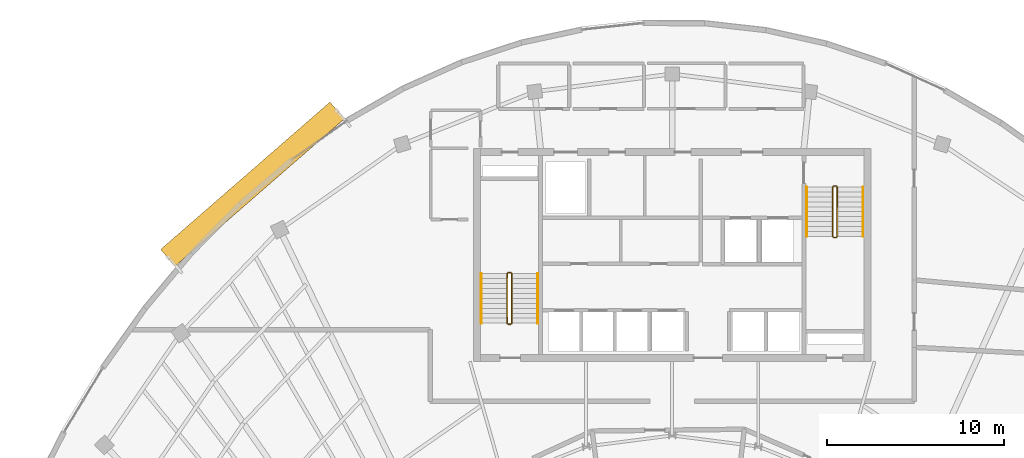
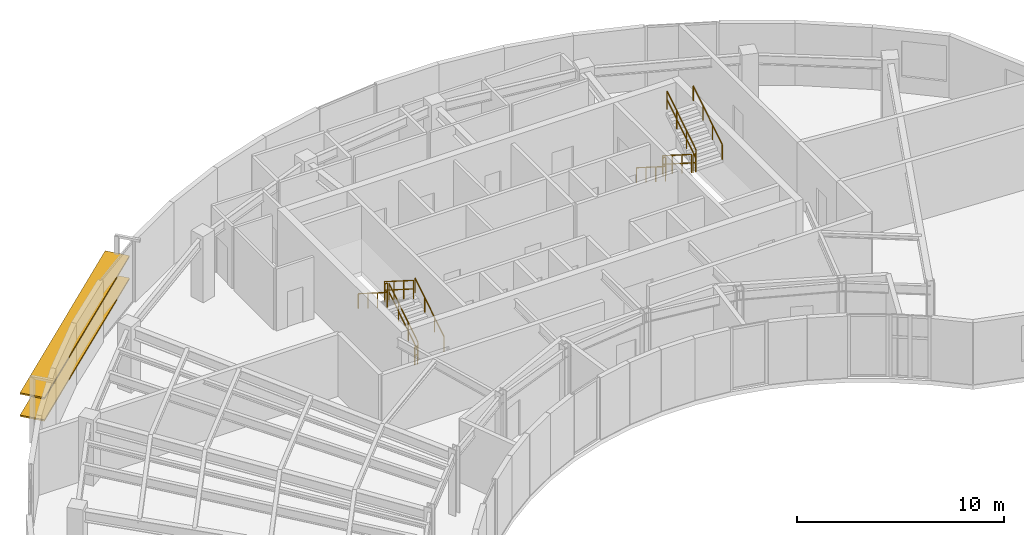
# One storey, part 12 of 12: 12 railings, 2 shading devices.
"""IFC4 building model written with IfcOpenShell, lengths in metres."""

from ifc_helpers import new_model, si_unit, direction, frame, origin, origin_2d, place, context, subcontext, project, spatial, rectangle, extrude, source, transform, mapped, material, material_profile, profile_set, type_object, element, save


model = new_model("IFC4")

# Units and contexts
model_context = context("Model", 3, precision=1e-05, world=origin(), true_north=direction((0.0, 1.0)))
body_context = subcontext(model_context, "Body", "Model", "MODEL_VIEW")
ifc_project = project(units=[si_unit("LENGTHUNIT", "METRE"), si_unit("AREAUNIT", "SQUARE_METRE"), si_unit("VOLUMEUNIT", "CUBIC_METRE"), si_unit("PLANEANGLEUNIT", "RADIAN"), si_unit("MASSUNIT", "GRAM", prefix="KILO")], contexts=[model_context])

# Site, building, storey
site_placement = place(None, origin())
site = spatial("IfcSite", under=ifc_project, at=site_placement, CompositionType="ELEMENT")
building_placement = place(site_placement, origin())
building = spatial("IfcBuilding", under=site, at=building_placement, Name="Breltana Convention Tower", CompositionType="ELEMENT")
storey_placement = place(building_placement, frame((0.0, 0.0, 267.89990234375)))
storey = spatial("IfcBuildingStorey", under=building, at=storey_placement, Name="L65", CompositionType="ELEMENT", Elevation=267.89990234375)

# Railings
ifc_material_1 = material(Name="Steel S275 Painted", Category="steel")
railing_type_1 = type_object("IfcRailingType", Name="RL-STAIR-GUARD-1100", PredefinedType="GUARDRAIL", material=ifc_material_1)
railing_1_placement = place(storey_placement, frame((38.9599609375, 62.360107421875, 0.177490234375)))
element("IfcRailing", 1, at=railing_1_placement, inside=storey, type_object=railing_type_1, Name="L65 ST-1 stair guard 1", PredefinedType="GUARDRAIL", context=body_context, shape_type="SweptSolid", body=[
    extrude(rectangle(XDim=0.048095703125, YDim=0.048095703125, at=origin_2d()), frame((0.0, 0.0, 1.076171875), z_axis=(0.0, 0.844887892834, 0.53494340686), x_axis=(-1.0, 0.0, 0.0)), (0.0, 0.0, 1.0), 3.313720703125),
    extrude(rectangle(XDim=0.048095703125, YDim=0.048095703125, at=origin_2d()), frame((0.0, 0.0, 0.572021484375), z_axis=(0.0, 0.844887892834, 0.53494340686), x_axis=(-1.0, 0.0, 0.0)), (0.0, 0.0, 1.0), 3.313720703125),
    extrude(rectangle(XDim=0.0419921875, YDim=0.0419921875, at=origin_2d()), origin(), (0.0, 0.0, 1.0), 1.052001953125),
    extrude(rectangle(XDim=0.0419921875, YDim=0.0419921875, at=origin_2d()), frame((0.0, 0.933349609375, 0.5908203125)), (0.0, 0.0, 1.0), 1.052001953125),
    extrude(rectangle(XDim=0.0419921875, YDim=0.0419921875, at=origin_2d()), frame((0.0, 1.866455078125, 1.181884765625)), (0.0, 0.0, 1.0), 1.052001953125),
    extrude(rectangle(XDim=0.0419921875, YDim=0.0419921875, at=origin_2d()), frame((0.0, 2.7998046875, 1.772705078125)), (0.0, 0.0, 1.0), 1.052001953125),
])
railing_2_placement = place(storey_placement, frame((38.909912109375, 65.2099609375, 1.9501953125)))
element("IfcRailing", 2, at=railing_2_placement, inside=storey, type_object=railing_type_1, Name="L65 ST-1 stair guard 2", PredefinedType="GUARDRAIL", context=body_context, shape_type="SweptSolid", body=[
    extrude(rectangle(XDim=0.048095703125, YDim=0.048095703125, at=origin_2d()), frame((0.0, 0.0, 1.076171875), z_axis=(-1.0, 0.0, 0.0), x_axis=(0.0, -1.0, 0.0)), (0.0, 0.0, 1.0), 0.14990234375),
    extrude(rectangle(XDim=0.048095703125, YDim=0.048095703125, at=origin_2d()), frame((0.0, 0.0, 0.572021484375), z_axis=(-1.0, 0.0, 0.0), x_axis=(0.0, -1.0, 0.0)), (0.0, 0.0, 1.0), 0.14990234375),
    extrude(rectangle(XDim=0.0419921875, YDim=0.0419921875, at=origin_2d()), origin(), (0.0, 0.0, 1.0), 1.052001953125),
    extrude(rectangle(XDim=0.0419921875, YDim=0.0419921875, at=origin_2d()), frame((-0.14990234375, 0.0, 0.0)), (0.0, 0.0, 1.0), 1.052001953125),
])
railing_3_placement = place(storey_placement, frame((38.7099609375, 65.159912109375, 2.12744140625)))
element("IfcRailing", 3, at=railing_3_placement, inside=storey, type_object=railing_type_1, Name="L65 ST-1 stair guard 3", PredefinedType="GUARDRAIL", context=body_context, shape_type="SweptSolid", body=[
    extrude(rectangle(XDim=0.048095703125, YDim=0.048095703125, at=origin_2d()), frame((0.0, 0.0, 1.076171875), z_axis=(0.0, -0.844887892834, 0.53494340686), x_axis=(1.0, 0.0, 0.0)), (0.0, 0.0, 1.0), 3.313720703125),
    extrude(rectangle(XDim=0.048095703125, YDim=0.048095703125, at=origin_2d()), frame((0.0, 0.0, 0.572021484375), z_axis=(0.0, -0.844887892834, 0.53494340686), x_axis=(1.0, 0.0, 0.0)), (0.0, 0.0, 1.0), 3.313720703125),
    extrude(rectangle(XDim=0.0419921875, YDim=0.0419921875, at=origin_2d()), origin(), (0.0, 0.0, 1.0), 1.052001953125),
    extrude(rectangle(XDim=0.0419921875, YDim=0.0419921875, at=origin_2d()), frame((0.0, -0.933349609375, 0.5908203125)), (0.0, 0.0, 1.0), 1.052001953125),
    extrude(rectangle(XDim=0.0419921875, YDim=0.0419921875, at=origin_2d()), frame((0.0, -1.866455078125, 1.181884765625)), (0.0, 0.0, 1.0), 1.052001953125),
    extrude(rectangle(XDim=0.0419921875, YDim=0.0419921875, at=origin_2d()), frame((0.0, -2.7998046875, 1.772705078125)), (0.0, 0.0, 1.0), 1.052001953125),
])
railing_4_placement = place(storey_placement, frame((38.909912109375, 62.31005859375, 0.0)))
element("IfcRailing", 4, at=railing_4_placement, inside=storey, type_object=railing_type_1, Name="L65 ST-1 stair guard 4", PredefinedType="GUARDRAIL", context=body_context, shape_type="SweptSolid", body=[
    extrude(rectangle(XDim=0.048095703125, YDim=0.048095703125, at=origin_2d()), frame((0.0, 0.0, 1.076171875), z_axis=(-1.0, 0.0, 0.0), x_axis=(0.0, -1.0, 0.0)), (0.0, 0.0, 1.0), 0.14990234375),
    extrude(rectangle(XDim=0.048095703125, YDim=0.048095703125, at=origin_2d()), frame((0.0, 0.0, 0.572021484375), z_axis=(-1.0, 0.0, 0.0), x_axis=(0.0, -1.0, 0.0)), (0.0, 0.0, 1.0), 0.14990234375),
    extrude(rectangle(XDim=0.0419921875, YDim=0.0419921875, at=origin_2d()), origin(), (0.0, 0.0, 1.0), 1.052001953125),
    extrude(rectangle(XDim=0.0419921875, YDim=0.0419921875, at=origin_2d()), frame((-0.14990234375, 0.0, 0.0)), (0.0, 0.0, 1.0), 1.052001953125),
])
railing_5_placement = place(storey_placement, frame((57.0400390625, 70.0400390625, 0.177490234375)))
element("IfcRailing", 5, at=railing_5_placement, inside=storey, type_object=railing_type_1, Name="L65 ST-2 stair guard 1", PredefinedType="GUARDRAIL", context=body_context, shape_type="SweptSolid", body=[
    extrude(rectangle(XDim=0.048095703125, YDim=0.048095703125, at=origin_2d()), frame((0.0, 0.0, 1.076171875), z_axis=(0.0, -0.844908973607, 0.534910110503), x_axis=(1.0, 0.0, 0.0)), (0.0, 0.0, 1.0), 3.31396484375),
    extrude(rectangle(XDim=0.048095703125, YDim=0.048095703125, at=origin_2d()), frame((0.0, 0.0, 0.572021484375), z_axis=(0.0, -0.844908973607, 0.534910110503), x_axis=(1.0, 0.0, 0.0)), (0.0, 0.0, 1.0), 3.31396484375),
    extrude(rectangle(XDim=0.0419921875, YDim=0.0419921875, at=origin_2d()), origin(), (0.0, 0.0, 1.0), 1.052001953125),
    extrude(rectangle(XDim=0.0419921875, YDim=0.0419921875, at=origin_2d()), frame((0.0, -0.933349609375, 0.5908203125)), (0.0, 0.0, 1.0), 1.052001953125),
    extrude(rectangle(XDim=0.0419921875, YDim=0.0419921875, at=origin_2d()), frame((0.0, -1.86669921875, 1.181884765625)), (0.0, 0.0, 1.0), 1.052001953125),
    extrude(rectangle(XDim=0.0419921875, YDim=0.0419921875, at=origin_2d()), frame((0.0, -2.800048828125, 1.772705078125)), (0.0, 0.0, 1.0), 1.052001953125),
])
railing_6_placement = place(storey_placement, frame((57.090087890625, 67.18994140625, 1.9501953125)))
element("IfcRailing", 6, at=railing_6_placement, inside=storey, type_object=railing_type_1, Name="L65 ST-2 stair guard 2", PredefinedType="GUARDRAIL", context=body_context, shape_type="SweptSolid", body=[
    extrude(rectangle(XDim=0.048095703125, YDim=0.048095703125, at=origin_2d()), frame((0.0, 0.0, 1.076171875), z_axis=(1.0, 0.0, 0.0), x_axis=(0.0, 1.0, 0.0)), (0.0, 0.0, 1.0), 0.14990234375),
    extrude(rectangle(XDim=0.048095703125, YDim=0.048095703125, at=origin_2d()), frame((0.0, 0.0, 0.572021484375), z_axis=(1.0, 0.0, 0.0), x_axis=(0.0, 1.0, 0.0)), (0.0, 0.0, 1.0), 0.14990234375),
    extrude(rectangle(XDim=0.0419921875, YDim=0.0419921875, at=origin_2d()), origin(), (0.0, 0.0, 1.0), 1.052001953125),
    extrude(rectangle(XDim=0.0419921875, YDim=0.0419921875, at=origin_2d()), frame((0.14990234375, 0.0, 0.0)), (0.0, 0.0, 1.0), 1.052001953125),
])
railing_7_placement = place(storey_placement, frame((57.2900390625, 67.239990234375, 2.12744140625)))
element("IfcRailing", 7, at=railing_7_placement, inside=storey, type_object=railing_type_1, Name="L65 ST-2 stair guard 3", PredefinedType="GUARDRAIL", context=body_context, shape_type="SweptSolid", body=[
    extrude(rectangle(XDim=0.048095703125, YDim=0.048095703125, at=origin_2d()), frame((0.0, 0.0, 1.076171875), z_axis=(0.0, 0.844908973607, 0.534910110503), x_axis=(-1.0, 0.0, 0.0)), (0.0, 0.0, 1.0), 3.31396484375),
    extrude(rectangle(XDim=0.048095703125, YDim=0.048095703125, at=origin_2d()), frame((0.0, 0.0, 0.572021484375), z_axis=(0.0, 0.844908973607, 0.534910110503), x_axis=(-1.0, 0.0, 0.0)), (0.0, 0.0, 1.0), 3.31396484375),
    extrude(rectangle(XDim=0.0419921875, YDim=0.0419921875, at=origin_2d()), origin(), (0.0, 0.0, 1.0), 1.052001953125),
    extrude(rectangle(XDim=0.0419921875, YDim=0.0419921875, at=origin_2d()), frame((0.0, 0.933349609375, 0.5908203125)), (0.0, 0.0, 1.0), 1.052001953125),
    extrude(rectangle(XDim=0.0419921875, YDim=0.0419921875, at=origin_2d()), frame((0.0, 1.86669921875, 1.181884765625)), (0.0, 0.0, 1.0), 1.052001953125),
    extrude(rectangle(XDim=0.0419921875, YDim=0.0419921875, at=origin_2d()), frame((0.0, 2.800048828125, 1.772705078125)), (0.0, 0.0, 1.0), 1.052001953125),
])
railing_8_placement = place(storey_placement, frame((57.090087890625, 70.090087890625, 0.0)))
element("IfcRailing", 8, at=railing_8_placement, inside=storey, type_object=railing_type_1, Name="L65 ST-2 stair guard 4", PredefinedType="GUARDRAIL", context=body_context, shape_type="SweptSolid", body=[
    extrude(rectangle(XDim=0.048095703125, YDim=0.048095703125, at=origin_2d()), frame((0.0, 0.0, 1.076171875), z_axis=(1.0, 0.0, 0.0), x_axis=(0.0, 1.0, 0.0)), (0.0, 0.0, 1.0), 0.14990234375),
    extrude(rectangle(XDim=0.048095703125, YDim=0.048095703125, at=origin_2d()), frame((0.0, 0.0, 0.572021484375), z_axis=(1.0, 0.0, 0.0), x_axis=(0.0, 1.0, 0.0)), (0.0, 0.0, 1.0), 0.14990234375),
    extrude(rectangle(XDim=0.0419921875, YDim=0.0419921875, at=origin_2d()), origin(), (0.0, 0.0, 1.0), 1.052001953125),
    extrude(rectangle(XDim=0.0419921875, YDim=0.0419921875, at=origin_2d()), frame((0.14990234375, 0.0, 0.0)), (0.0, 0.0, 1.0), 1.052001953125),
])
ifc_material_2 = material(Name="Stainless Steel 316L", Category="steel")
railing_type_2 = type_object("IfcRailingType", Name="RL-STAIR-HANDRAIL-900", PredefinedType="HANDRAIL", material=ifc_material_2)
railing_9_placement = place(storey_placement, frame((40.419921875, 62.360107421875, 0.177490234375)))
element("IfcRailing", 9, at=railing_9_placement, inside=storey, type_object=railing_type_2, Name="L65 ST-1 stair handrail 1", PredefinedType="HANDRAIL", context=body_context, shape_type="SweptSolid", body=[
    extrude(rectangle(XDim=0.048095703125, YDim=0.048095703125, at=origin_2d()), frame((0.0, 0.0, 0.8759765625), z_axis=(0.0, 0.844887892834, 0.53494340686), x_axis=(-1.0, 0.0, 0.0)), (0.0, 0.0, 1.0), 3.313720703125),
    extrude(rectangle(XDim=0.0419921875, YDim=0.0419921875, at=origin_2d()), origin(), (0.0, 0.0, 1.0), 0.851806640625),
    extrude(rectangle(XDim=0.0419921875, YDim=0.0419921875, at=origin_2d()), frame((0.0, 0.933349609375, 0.5908203125)), (0.0, 0.0, 1.0), 0.851806640625),
    extrude(rectangle(XDim=0.0419921875, YDim=0.0419921875, at=origin_2d()), frame((0.0, 1.866455078125, 1.181884765625)), (0.0, 0.0, 1.0), 0.851806640625),
    extrude(rectangle(XDim=0.0419921875, YDim=0.0419921875, at=origin_2d()), frame((0.0, 2.7998046875, 1.772705078125)), (0.0, 0.0, 1.0), 0.851806640625),
])
railing_10_placement = place(storey_placement, frame((37.25, 65.159912109375, 2.12744140625)))
element("IfcRailing", 10, at=railing_10_placement, inside=storey, type_object=railing_type_2, Name="L65 ST-1 stair handrail 2", PredefinedType="HANDRAIL", context=body_context, shape_type="SweptSolid", body=[
    extrude(rectangle(XDim=0.048095703125, YDim=0.048095703125, at=origin_2d()), frame((0.0, 0.0, 0.8759765625), z_axis=(0.0, -0.844887892834, 0.53494340686), x_axis=(1.0, 0.0, 0.0)), (0.0, 0.0, 1.0), 3.313720703125),
    extrude(rectangle(XDim=0.0419921875, YDim=0.0419921875, at=origin_2d()), origin(), (0.0, 0.0, 1.0), 0.851806640625),
    extrude(rectangle(XDim=0.0419921875, YDim=0.0419921875, at=origin_2d()), frame((0.0, -0.933349609375, 0.5908203125)), (0.0, 0.0, 1.0), 0.851806640625),
    extrude(rectangle(XDim=0.0419921875, YDim=0.0419921875, at=origin_2d()), frame((0.0, -1.866455078125, 1.181884765625)), (0.0, 0.0, 1.0), 0.851806640625),
    extrude(rectangle(XDim=0.0419921875, YDim=0.0419921875, at=origin_2d()), frame((0.0, -2.7998046875, 1.772705078125)), (0.0, 0.0, 1.0), 0.851806640625),
])
railing_11_placement = place(storey_placement, frame((55.580078125, 70.0400390625, 0.177490234375)))
element("IfcRailing", 11, at=railing_11_placement, inside=storey, type_object=railing_type_2, Name="L65 ST-2 stair handrail 1", PredefinedType="HANDRAIL", context=body_context, shape_type="SweptSolid", body=[
    extrude(rectangle(XDim=0.048095703125, YDim=0.048095703125, at=origin_2d()), frame((0.0, 0.0, 0.8759765625), z_axis=(0.0, -0.844908973607, 0.534910110503), x_axis=(1.0, 0.0, 0.0)), (0.0, 0.0, 1.0), 3.31396484375),
    extrude(rectangle(XDim=0.0419921875, YDim=0.0419921875, at=origin_2d()), origin(), (0.0, 0.0, 1.0), 0.851806640625),
    extrude(rectangle(XDim=0.0419921875, YDim=0.0419921875, at=origin_2d()), frame((0.0, -0.933349609375, 0.5908203125)), (0.0, 0.0, 1.0), 0.851806640625),
    extrude(rectangle(XDim=0.0419921875, YDim=0.0419921875, at=origin_2d()), frame((0.0, -1.86669921875, 1.181884765625)), (0.0, 0.0, 1.0), 0.851806640625),
    extrude(rectangle(XDim=0.0419921875, YDim=0.0419921875, at=origin_2d()), frame((0.0, -2.800048828125, 1.772705078125)), (0.0, 0.0, 1.0), 0.851806640625),
])
railing_12_placement = place(storey_placement, frame((58.75, 67.239990234375, 2.12744140625)))
element("IfcRailing", 12, at=railing_12_placement, inside=storey, type_object=railing_type_2, Name="L65 ST-2 stair handrail 2", PredefinedType="HANDRAIL", context=body_context, shape_type="SweptSolid", body=[
    extrude(rectangle(XDim=0.048095703125, YDim=0.048095703125, at=origin_2d()), frame((0.0, 0.0, 0.8759765625), z_axis=(0.0, 0.844908973607, 0.534910110503), x_axis=(-1.0, 0.0, 0.0)), (0.0, 0.0, 1.0), 3.31396484375),
    extrude(rectangle(XDim=0.0419921875, YDim=0.0419921875, at=origin_2d()), origin(), (0.0, 0.0, 1.0), 0.851806640625),
    extrude(rectangle(XDim=0.0419921875, YDim=0.0419921875, at=origin_2d()), frame((0.0, 0.933349609375, 0.5908203125)), (0.0, 0.0, 1.0), 0.851806640625),
    extrude(rectangle(XDim=0.0419921875, YDim=0.0419921875, at=origin_2d()), frame((0.0, 1.86669921875, 1.181884765625)), (0.0, 0.0, 1.0), 0.851806640625),
    extrude(rectangle(XDim=0.0419921875, YDim=0.0419921875, at=origin_2d()), frame((0.0, 2.800048828125, 1.772705078125)), (0.0, 0.0, 1.0), 0.851806640625),
])

# Shading devices
ifc_material_3 = material(Name="Limestone Warm Buff Honed", Category="masonry")
ifc_material_profile = material_profile(ifc_material_3, rectangle(XDim=1.25, YDim=0.090087890625, at=origin_2d()), Name="STN-LVR-1250X90")
ifc_profile_set = profile_set([ifc_material_profile], Name="Limestone Warm Buff Honed")
shading_device_type = type_object("IfcShadingDeviceType", Name="SHD-OUTER-SKIN-LIMESTONE-1250", PredefinedType="JALOUSIE", material=ifc_profile_set)
shared_shape = source(origin(), body_context, "Body", "SweptSolid", [
    extrude(rectangle(XDim=1.25, YDim=0.090087890625, at=origin_2d()), origin(), (0.0, 0.0, 1.0), 12.646484375),
])
for number, where, z_axis, x_axis, name in (
    (13, (19.582275390625, 66.044189453125, 1.314208984375), (0.754367743007, 0.656452060938, 0.0), (-0.656452060938, 0.754367743007, 0.0), "L65 outer skin warm limestone louvre 1.1"),
    (14, (19.582275390625, 66.044189453125, 2.628173828125), (0.754367743007, 0.656452060938, 0.0), (-0.656452060938, 0.754367743007, 0.0), "L65 outer skin warm limestone louvre 1.2"),
):
    element("IfcShadingDevice", number, at=place(storey_placement, frame(where, z_axis=z_axis, x_axis=x_axis)), inside=storey, type_object=shading_device_type, Name=name, PredefinedType="JALOUSIE", context=body_context, shape_type="MappedRepresentation", body=[
        mapped(shared_shape, transform((0.0, 0.0, 0.0), scale=1.0)),
    ])

save(model, "model.ifc")
